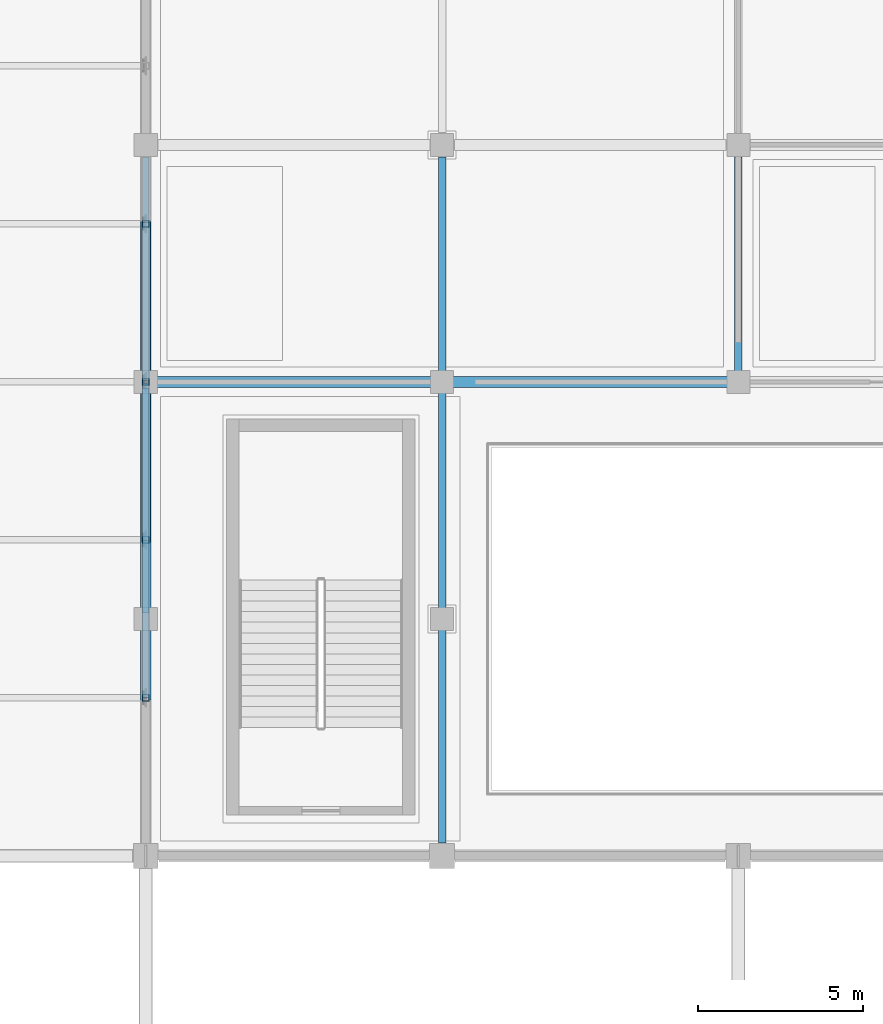
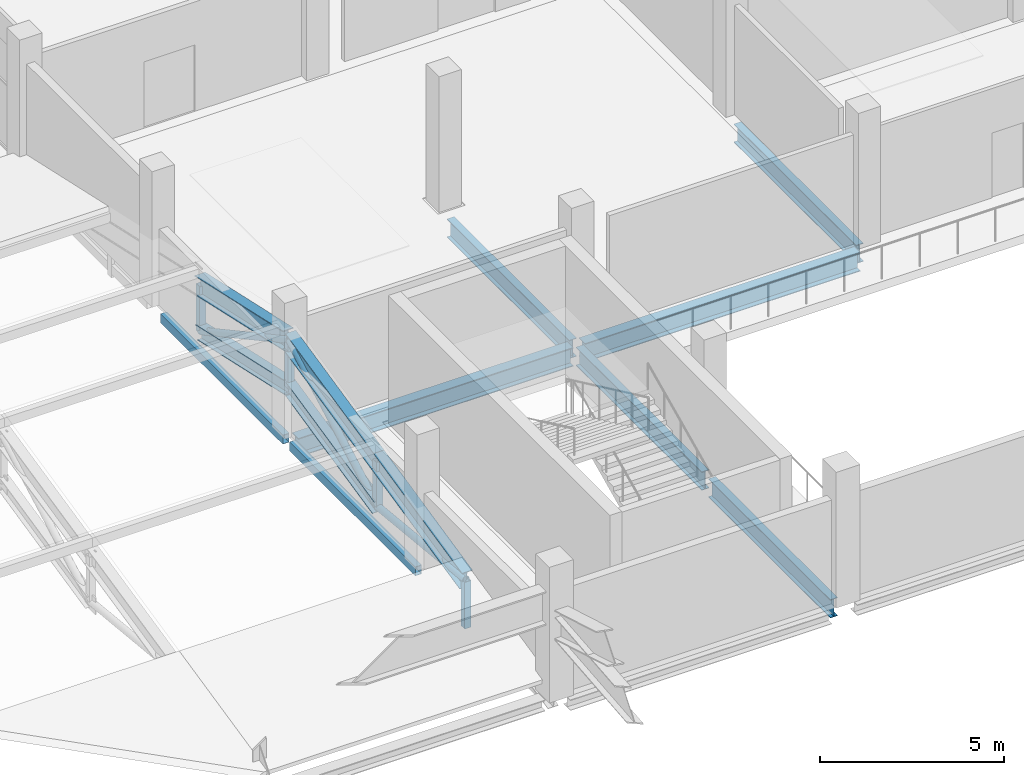
# One storey, part 27 of 151: 12 members, 8 beams.
"""IFC4 building model written with IfcOpenShell, lengths in metres."""

from ifc_helpers import new_model, si_unit, direction, frame, origin, origin_2d, place, context, subcontext, project, spatial, hollow_rectangle, hollow_circle, i_section, extrude, material, material_profile, profile_set, type_object, element, save


model = new_model("IFC4")

# Units and contexts
model_context = context("Model", 3, precision=1e-05, world=origin(), true_north=direction((0.0, 1.0)))
body_context = subcontext(model_context, "Body", "Model", "MODEL_VIEW")
ifc_project = project(units=[si_unit("LENGTHUNIT", "METRE"), si_unit("AREAUNIT", "SQUARE_METRE"), si_unit("VOLUMEUNIT", "CUBIC_METRE"), si_unit("PLANEANGLEUNIT", "RADIAN"), si_unit("MASSUNIT", "GRAM", prefix="KILO")], contexts=[model_context])

# Site, building, storey
site_placement = place(None, origin())
site = spatial("IfcSite", under=ifc_project, at=site_placement, CompositionType="ELEMENT")
building_placement = place(site_placement, origin())
building = spatial("IfcBuilding", under=site, at=building_placement, Name="Celestram Park Convention Centre", CompositionType="ELEMENT")
storey_placement = place(building_placement, frame((0.0, 0.0, 10.800048828125)))
storey = spatial("IfcBuildingStorey", under=building, at=storey_placement, Name="L02", CompositionType="ELEMENT", Elevation=10.800048828125)

# Beams
ifc_material_1 = material(Name="Steel ASTM A992 Grade 50", Category="steel")
ifc_material_profile_1 = material_profile(ifc_material_1, i_section(OverallWidth=0.327880859375, OverallDepth=0.6220703125, WebThickness=0.015380859375, FlangeThickness=0.0244140625, at=origin_2d()), Name="W24X131")
ifc_profile_set_1 = profile_set([ifc_material_profile_1], Name="Steel ASTM A992 Grade 50")
beam_type_1 = type_object("IfcBeamType", Name="STR-BM-W24X131", PredefinedType="BEAM", material=ifc_profile_set_1)
for number, where, z_axis, x_axis, name in (
    (1, (36.182861328125, 122.39990234375, -0.591064453125), (1.0, 0.0, 0.0), (0.0, 1.0, 0.0), "Primary X-girder BG-L02-0013"),
    (2, (45.182861328125, 122.39990234375, -0.591064453125), (1.0, 0.0, 0.0), (0.0, 1.0, 0.0), "Primary X-girder BG-L02-0027"),
):
    element("IfcBeam", number, at=place(storey_placement, frame(where, z_axis=z_axis, x_axis=x_axis)), inside=storey, type_object=beam_type_1, Name=name, PredefinedType="BEAM", context=body_context, shape_type="SweptSolid", body=[
        extrude(i_section(OverallWidth=0.327880859375, OverallDepth=0.6220703125, WebThickness=0.015380859375, FlangeThickness=0.0244140625, at=origin_2d()), origin(), (0.0, 0.0, 1.0), 8.63427734375),
    ])
ifc_material_profile_2 = material_profile(ifc_material_1, i_section(OverallWidth=0.22900390625, OverallDepth=0.612060546875, WebThickness=0.011962890625, FlangeThickness=0.01953125, at=origin_2d()), Name="W24X84")
ifc_profile_set_2 = profile_set([ifc_material_profile_2], Name="Steel ASTM A992 Grade 50")
beam_type_2 = type_object("IfcBeamType", Name="STR-BM-W24X84", PredefinedType="BEAM", material=ifc_profile_set_2)
beam_1_placement = place(storey_placement, frame((45.0, 108.39794921875, -0.5859375), z_axis=(0.0, 1.0, 0.0), x_axis=(-1.0, 0.0, 0.0)))
element("IfcBeam", 3, at=beam_1_placement, inside=storey, type_object=beam_type_2, Name="Primary Y-girder BG-L02-0025", PredefinedType="BEAM", context=body_context, shape_type="SweptSolid", body=[
    extrude(i_section(OverallWidth=0.22900390625, OverallDepth=0.612060546875, WebThickness=0.011962890625, FlangeThickness=0.01953125, at=origin_2d()), origin(), (0.0, 0.0, 1.0), 6.619140625),
])
beam_2_placement = place(storey_placement, frame((45.0, 115.3828125, -0.5859375), z_axis=(0.0, 1.0, 0.0), x_axis=(-1.0, 0.0, 0.0)))
element("IfcBeam", 4, at=beam_2_placement, inside=storey, type_object=beam_type_2, Name="Primary Y-girder BG-L02-0026", PredefinedType="BEAM", context=body_context, shape_type="SweptSolid", body=[
    extrude(i_section(OverallWidth=0.22900390625, OverallDepth=0.612060546875, WebThickness=0.011962890625, FlangeThickness=0.01953125, at=origin_2d()), origin(), (0.0, 0.0, 1.0), 6.834228515625),
])
for number, where, z_axis, x_axis, name in (
    (5, (45.0, 122.5830078125, -0.5859375), (0.0, 1.0, 0.0), (-1.0, 0.0, 0.0), "Primary Y-girder BG-L02-0028"),
    (6, (54.0, 122.5830078125, -0.5859375), (0.0, 1.0, 0.0), (-1.0, 0.0, 0.0), "Primary Y-girder BG-L02-0042"),
):
    element("IfcBeam", number, at=place(storey_placement, frame(where, z_axis=z_axis, x_axis=x_axis)), inside=storey, type_object=beam_type_2, Name=name, PredefinedType="BEAM", context=body_context, shape_type="SweptSolid", body=[
        extrude(i_section(OverallWidth=0.22900390625, OverallDepth=0.612060546875, WebThickness=0.011962890625, FlangeThickness=0.01953125, at=origin_2d()), origin(), (0.0, 0.0, 1.0), 6.64404296875),
    ])

# Members
ifc_material_2 = material(Name="Steel ASTM A500 Grade C", Category="steel")
ifc_material_profile_3 = material_profile(ifc_material_2, hollow_circle(Radius=0.109619140625, WallThickness=0.008056640625, at=origin_2d()), Name="CHS219X8")
ifc_profile_set_3 = profile_set([ifc_material_profile_3], Name="Steel ASTM A500 Grade C")
member_type_1 = type_object("IfcMemberType", Name="STR-BRC-CHS219", PredefinedType="BRACE", material=ifc_profile_set_3)
member_1_placement = place(storey_placement, frame((36.0, 112.800048828125, 0.83056640625), z_axis=(0.0, 0.994967300399, -0.100200155373), x_axis=(-1.0, 0.0, 0.0)))
element("IfcMember", 7, at=member_1_placement, inside=storey, type_object=member_type_1, Name="WPV arch web diagonal", PredefinedType="BRACE", context=body_context, shape_type="SweptSolid", body=[
    extrude(hollow_circle(Radius=0.109619140625, WallThickness=0.008056640625, at=origin_2d()), origin(), (0.0, 0.0, 1.0), 4.82421875),
])
member_2_placement = place(storey_placement, frame((36.0, 117.60009765625, 0.34716796875), z_axis=(0.0, 0.878001368363, 0.478658121369), x_axis=(-1.0, 0.0, 0.0)))
element("IfcMember", 8, at=member_2_placement, inside=storey, type_object=member_type_1, Name="WPV arch web diagonal", PredefinedType="BRACE", context=body_context, shape_type="SweptSolid", body=[
    extrude(hollow_circle(Radius=0.109619140625, WallThickness=0.008056640625, at=origin_2d()), origin(), (0.0, 0.0, 1.0), 5.466796875),
])
member_3_placement = place(storey_placement, frame((36.0, 122.39990234375, 2.9638671875), z_axis=(0.0, 0.878011599809, -0.478639353377), x_axis=(-1.0, 0.0, 0.0)))
element("IfcMember", 9, at=member_3_placement, inside=storey, type_object=member_type_1, Name="WPV arch web diagonal", PredefinedType="BRACE", context=body_context, shape_type="SweptSolid", body=[
    extrude(hollow_circle(Radius=0.109619140625, WallThickness=0.008056640625, at=origin_2d()), origin(), (0.0, 0.0, 1.0), 5.467041015625),
])
ifc_material_profile_4 = material_profile(ifc_material_1, i_section(OverallWidth=0.281982421875, OverallDepth=0.467041015625, WebThickness=0.01220703125, FlangeThickness=0.01953125, at=origin_2d()), Name="W18X86")
ifc_profile_set_4 = profile_set([ifc_material_profile_4], Name="Steel ASTM A992 Grade 50")
member_type_2 = type_object("IfcMemberType", Name="STR-CHD-W18X86", PredefinedType="CHORD", material=ifc_profile_set_4)
member_4_placement = place(storey_placement, frame((36.0, 117.60009765625, 0.34716796875), z_axis=(0.0, 0.976175375741, 0.216983031129), x_axis=(-1.0, 0.0, 0.0)))
element("IfcMember", 10, at=member_4_placement, inside=storey, type_object=member_type_2, Name="WPV arch bottom chord", PredefinedType="CHORD", context=body_context, shape_type="SweptSolid", body=[
    extrude(i_section(OverallWidth=0.281982421875, OverallDepth=0.467041015625, WebThickness=0.01220703125, FlangeThickness=0.01953125, at=origin_2d()), origin(), (0.0, 0.0, 1.0), 4.9169921875),
])
member_5_placement = place(storey_placement, frame((36.0, 122.39990234375, 1.4140625), z_axis=(0.0, 0.976177713309, -0.216972514478), x_axis=(-1.0, 0.0, 0.0)))
element("IfcMember", 11, at=member_5_placement, inside=storey, type_object=member_type_2, Name="WPV arch bottom chord", PredefinedType="CHORD", context=body_context, shape_type="SweptSolid", body=[
    extrude(i_section(OverallWidth=0.281982421875, OverallDepth=0.467041015625, WebThickness=0.01220703125, FlangeThickness=0.01953125, at=origin_2d()), origin(), (0.0, 0.0, 1.0), 4.917236328125),
])
ifc_material_profile_5 = material_profile(ifc_material_1, i_section(OverallWidth=0.327880859375, OverallDepth=0.6220703125, WebThickness=0.015380859375, FlangeThickness=0.0244140625, at=origin_2d()), Name="W24X131")
ifc_profile_set_5 = profile_set([ifc_material_profile_5], Name="Steel ASTM A992 Grade 50")
member_type_3 = type_object("IfcMemberType", Name="STR-CHD-W24X131", PredefinedType="CHORD", material=ifc_profile_set_5)
member_6_placement = place(storey_placement, frame((36.0, 112.800048828125, 0.83056640625), z_axis=(0.0, 0.976188228429, 0.216925200651), x_axis=(-1.0, 0.0, 0.0)))
element("IfcMember", 12, at=member_6_placement, inside=storey, type_object=member_type_3, Name="WPV arch top chord", PredefinedType="CHORD", context=body_context, shape_type="SweptSolid", body=[
    extrude(i_section(OverallWidth=0.327880859375, OverallDepth=0.6220703125, WebThickness=0.015380859375, FlangeThickness=0.0244140625, at=origin_2d()), origin(), (0.0, 0.0, 1.0), 4.917236328125),
])
member_7_placement = place(storey_placement, frame((36.0, 117.60009765625, 1.897216796875), z_axis=(0.0, 0.976185891854, 0.216935715235), x_axis=(-1.0, 0.0, 0.0)))
element("IfcMember", 13, at=member_7_placement, inside=storey, type_object=member_type_3, Name="WPV arch top chord", PredefinedType="CHORD", context=body_context, shape_type="SweptSolid", body=[
    extrude(i_section(OverallWidth=0.327880859375, OverallDepth=0.6220703125, WebThickness=0.015380859375, FlangeThickness=0.0244140625, at=origin_2d()), origin(), (0.0, 0.0, 1.0), 4.9169921875),
])
member_8_placement = place(storey_placement, frame((36.0, 122.39990234375, 2.9638671875), z_axis=(0.0, 0.976188228429, -0.216925200651), x_axis=(-1.0, 0.0, 0.0)))
element("IfcMember", 14, at=member_8_placement, inside=storey, type_object=member_type_3, Name="WPV arch top chord", PredefinedType="CHORD", context=body_context, shape_type="SweptSolid", body=[
    extrude(i_section(OverallWidth=0.327880859375, OverallDepth=0.6220703125, WebThickness=0.015380859375, FlangeThickness=0.0244140625, at=origin_2d()), origin(), (0.0, 0.0, 1.0), 4.917236328125),
])

# Beams
ifc_material_profile_6 = material_profile(ifc_material_2, hollow_rectangle(XDim=0.199951171875, YDim=0.300048828125, WallThickness=0.011962890625, at=origin_2d()), Name="HSS300X200X12")
ifc_profile_set_6 = profile_set([ifc_material_profile_6], Name="Steel ASTM A500 Grade C")
beam_type_3 = type_object("IfcBeamType", Name="STR-SPN-HSS300X200", PredefinedType="SPANDREL", material=ifc_profile_set_6)
beam_3_placement = place(storey_placement, frame((36.0, 115.3828125, -0.429931640625), z_axis=(0.0, 1.0, 0.0), x_axis=(-1.0, 0.0, 0.0)))
element("IfcBeam", 15, at=beam_3_placement, inside=storey, type_object=beam_type_3, Name="Primary Y-girder BG-L02-0012", PredefinedType="SPANDREL", context=body_context, shape_type="SweptSolid", body=[
    extrude(hollow_rectangle(XDim=0.199951171875, YDim=0.300048828125, WallThickness=0.011962890625, at=origin_2d()), origin(), (0.0, 0.0, 1.0), 6.834228515625),
])
beam_4_placement = place(storey_placement, frame((36.0, 122.5830078125, -0.429931640625), z_axis=(0.0, 1.0, 0.0), x_axis=(-1.0, 0.0, 0.0)))
element("IfcBeam", 16, at=beam_4_placement, inside=storey, type_object=beam_type_3, Name="Primary Y-girder BG-L02-0014", PredefinedType="SPANDREL", context=body_context, shape_type="SweptSolid", body=[
    extrude(hollow_rectangle(XDim=0.199951171875, YDim=0.300048828125, WallThickness=0.011962890625, at=origin_2d()), origin(), (0.0, 0.0, 1.0), 6.64404296875),
])

# Members
ifc_material_profile_7 = material_profile(ifc_material_2, hollow_rectangle(XDim=0.199951171875, YDim=0.199951171875, WallThickness=0.010009765625, at=origin_2d()), Name="HSS200X200X10")
ifc_profile_set_7 = profile_set([ifc_material_profile_7], Name="Steel ASTM A500 Grade C")
member_type_4 = type_object("IfcMemberType", Name="STR-STR-HSS200", PredefinedType="STRUT", material=ifc_profile_set_7)
member_9_placement = place(storey_placement, frame((36.0, 112.800048828125, -0.71923828125), z_axis=(0.0, 0.0, 1.0), x_axis=(1.0, 0.0, 0.0)))
element("IfcMember", 17, at=member_9_placement, inside=storey, type_object=member_type_4, Name="WPV arch vertical strut", PredefinedType="STRUT", context=body_context, shape_type="SweptSolid", body=[
    extrude(hollow_rectangle(XDim=0.199951171875, YDim=0.199951171875, WallThickness=0.010009765625, at=origin_2d()), origin(), (0.0, 0.0, 1.0), 1.5498046875),
])
member_10_placement = place(storey_placement, frame((36.0, 117.60009765625, 0.34716796875), z_axis=(0.0, 0.0, 1.0), x_axis=(1.0, 0.0, 0.0)))
element("IfcMember", 18, at=member_10_placement, inside=storey, type_object=member_type_4, Name="WPV arch vertical strut", PredefinedType="STRUT", context=body_context, shape_type="SweptSolid", body=[
    extrude(hollow_rectangle(XDim=0.199951171875, YDim=0.199951171875, WallThickness=0.010009765625, at=origin_2d()), origin(), (0.0, 0.0, 1.0), 1.550048828125),
])
member_11_placement = place(storey_placement, frame((36.0, 122.39990234375, 1.4140625), z_axis=(0.0, 0.0, 1.0), x_axis=(1.0, 0.0, 0.0)))
element("IfcMember", 19, at=member_11_placement, inside=storey, type_object=member_type_4, Name="WPV arch vertical strut", PredefinedType="STRUT", context=body_context, shape_type="SweptSolid", body=[
    extrude(hollow_rectangle(XDim=0.199951171875, YDim=0.199951171875, WallThickness=0.010009765625, at=origin_2d()), origin(), (0.0, 0.0, 1.0), 1.5498046875),
])
member_12_placement = place(storey_placement, frame((36.0, 127.199951171875, 0.34716796875), z_axis=(0.0, 0.0, 1.0), x_axis=(1.0, 0.0, 0.0)))
element("IfcMember", 20, at=member_12_placement, inside=storey, type_object=member_type_4, Name="WPV arch vertical strut", PredefinedType="STRUT", context=body_context, shape_type="SweptSolid", body=[
    extrude(hollow_rectangle(XDim=0.199951171875, YDim=0.199951171875, WallThickness=0.010009765625, at=origin_2d()), origin(), (0.0, 0.0, 1.0), 1.550048828125),
])

save(model, "model.ifc")
